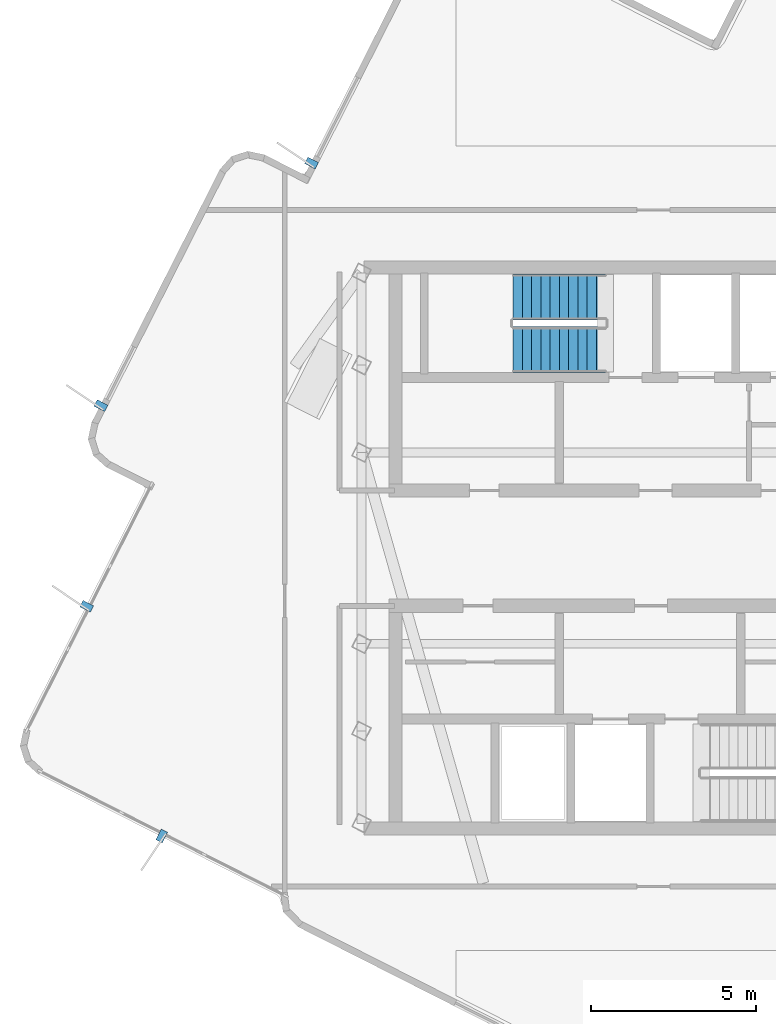
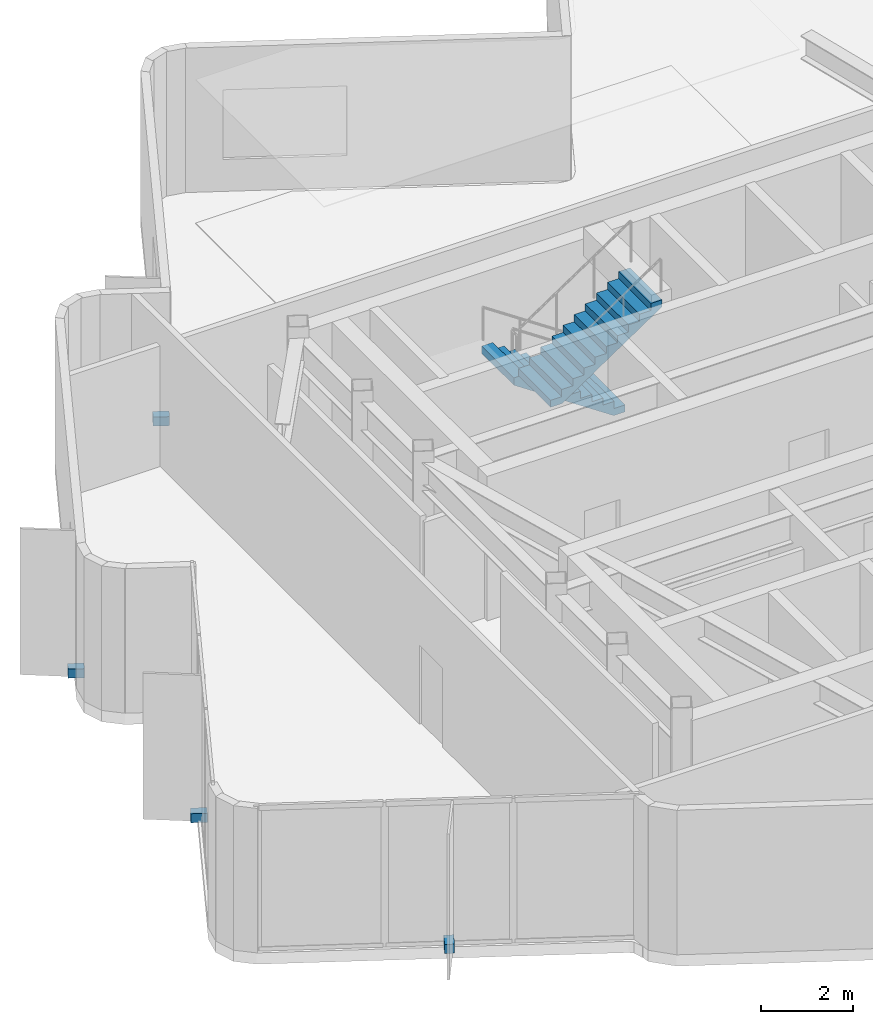
# One storey, part 5 of 8: 4 discrete accessories, 2 stair flights, 1 element without a shape of its own.
"""IFC4 building model written with IfcOpenShell, lengths in metres."""

from ifc_helpers import new_model, si_unit, direction, frame, origin, origin_2d, place, context, subcontext, project, spatial, polyline, rectangle, outline, extrude, material, type_object, element, aggregate, save


model = new_model("IFC4")

# Units and contexts
model_context = context("Model", 3, precision=1e-05, world=origin(), true_north=direction((0.0, 1.0)))
body_context = subcontext(model_context, "Body", "Model", "MODEL_VIEW")
ifc_project = project(units=[si_unit("LENGTHUNIT", "METRE"), si_unit("AREAUNIT", "SQUARE_METRE"), si_unit("VOLUMEUNIT", "CUBIC_METRE"), si_unit("PLANEANGLEUNIT", "RADIAN"), si_unit("MASSUNIT", "GRAM", prefix="KILO")], contexts=[model_context])

# Site, building, storey
site_placement = place(None, origin())
site = spatial("IfcSite", under=ifc_project, at=site_placement, CompositionType="ELEMENT")
building_placement = place(site_placement, origin())
building = spatial("IfcBuilding", under=site, at=building_placement, Name="Solmarez Civic Tower", CompositionType="ELEMENT")
storey_placement = place(building_placement, frame((0.0, 0.0, 289.260009765625)))
storey = spatial("IfcBuildingStorey", under=building, at=storey_placement, Name="L78 Crown", CompositionType="ELEMENT", Elevation=289.260009765625)

# Stair, stair flights
ifc_material_1 = material(Name="Concrete C50/60", Category="concrete")
stair_type = type_object("IfcStairType", Name="STAIR-DOGLEG-140W-22R-1882", PredefinedType="HALF_TURN_STAIR", material=ifc_material_1)
stair_placement = place(storey_placement, origin())
stair = element("IfcStair", 1, at=stair_placement, inside=storey, type_object=stair_type, Name="L78 Crown North Core Protected Exit Stair ST-1", PredefinedType="HALF_TURN_STAIR")
stair_flight_type = type_object("IfcStairFlightType", Name="FLIGHT-DOGLEG-140W-11R-1882", PredefinedType="STRAIGHT", material=ifc_material_1)
stair_flight_1_placement = place(storey_placement, frame((-1.449951171875, 7.6201171875, 0.0), z_axis=(0.0, 0.0, 1.0), x_axis=(-1.0, 0.0, 0.0)))
stair_flight_1 = element("IfcStairFlight", 2, at=stair_flight_1_placement, type_object=stair_flight_type, Name="ST-1 flight 1", NumberOfRisers=11, NumberOfTreads=10, PredefinedType="STRAIGHT", RiserHeight=0.188181818, TreadLength=0.28, context=body_context, shape_type="SweptSolid", body=[
    extrude(outline(polyline([(0.0, 0.0), (0.0, 0.188232421875), (0.280029296875, 0.188232421875), (0.280029296875, 0.37646484375), (0.56005859375, 0.37646484375), (0.56005859375, 0.564453125), (0.840087890625, 0.564453125), (0.840087890625, 0.752685546875), (1.1201171875, 0.752685546875), (1.1201171875, 0.94091796875), (1.39990234375, 0.94091796875), (1.39990234375, 1.129150390625), (1.679931640625, 1.129150390625), (1.679931640625, 1.3173828125), (1.9599609375, 1.3173828125), (1.9599609375, 1.50537109375), (2.239990234375, 1.50537109375), (2.239990234375, 1.693603515625), (2.52001953125, 1.693603515625), (2.52001953125, 1.8818359375), (2.800048828125, 1.8818359375), (2.800048828125, 2.070068359375), (2.800048828125, 1.689208984375), (0.28662109375, 0.0), (0.0, 0.0)])), frame((0.0, 0.699951171875, 0.0), z_axis=(0.0, -1.0, 0.0), x_axis=(1.0, 0.0, 0.0)), (0.0, 0.0, 1.0), 1.39990234375),
])
stair_flight_2_placement = place(storey_placement, frame((-4.25, 6.02001953125, 2.070068359375), z_axis=(0.0, 0.0, 1.0), x_axis=(1.0, 0.0, 0.0)))
stair_flight_2 = element("IfcStairFlight", 3, at=stair_flight_2_placement, type_object=stair_flight_type, Name="ST-1 flight 2", NumberOfRisers=11, NumberOfTreads=10, PredefinedType="STRAIGHT", RiserHeight=0.188181818, TreadLength=0.28, context=body_context, shape_type="SweptSolid", body=[
    extrude(outline(polyline([(0.0, 0.0), (0.0, 0.188232421875), (0.280029296875, 0.188232421875), (0.280029296875, 0.37646484375), (0.56005859375, 0.37646484375), (0.56005859375, 0.564453125), (0.840087890625, 0.564453125), (0.840087890625, 0.752685546875), (1.1201171875, 0.752685546875), (1.1201171875, 0.94091796875), (1.39990234375, 0.94091796875), (1.39990234375, 1.129150390625), (1.679931640625, 1.129150390625), (1.679931640625, 1.3173828125), (1.9599609375, 1.3173828125), (1.9599609375, 1.50537109375), (2.239990234375, 1.50537109375), (2.239990234375, 1.693603515625), (2.52001953125, 1.693603515625), (2.52001953125, 1.8818359375), (2.800048828125, 1.8818359375), (2.800048828125, 2.070068359375), (2.800048828125, 1.689208984375), (0.28662109375, 0.0), (0.0, 0.0)])), frame((0.0, 0.699951171875, 0.0), z_axis=(0.0, -1.0, 0.0), x_axis=(1.0, 0.0, 0.0)), (0.0, 0.0, 1.0), 1.39990234375),
])
aggregate(stair, [stair_flight_1, stair_flight_2])

# Discrete accessories
ifc_material_2 = material(Name="Stainless Steel Grade 1.4401", Category="steel")
discrete_accessory_type = type_object("IfcDiscreteAccessoryType", Name="BRACKET-SS-FIN", PredefinedType="BRACKET", material=ifc_material_2)
for number, where, z_axis, x_axis, name in (
    (4, (-14.910888671875, -8.73095703125, -0.06005859375), (0.0, 0.0, 1.0), (-0.452162596198, -0.891935528275, 0.0), "L78 Crown Stainless Fin Support Bracket FIN-L78 Crown-01"),
    (5, (-17.18505859375, -1.76708984375, -0.06005859375), (0.0, 0.0, 1.0), (-0.891939564952, 0.452154633365, 0.0), "L78 Crown Stainless Fin Support Bracket FIN-L78 Crown-02"),
    (6, (-16.756103515625, 4.321044921875, -0.06005859375), (0.0, 0.0, 1.0), (-0.891970083602, 0.452094425933, 0.0), "L78 Crown Stainless Fin Support Bracket FIN-L78 Crown-03"),
    (7, (-10.368896484375, 11.679931640625, -0.06005859375), (0.0, 0.0, 1.0), (-0.891939564952, 0.452154633365, 0.0), "L78 Crown Stainless Fin Support Bracket FIN-L78 Crown-04"),
):
    element("IfcDiscreteAccessory", number, at=place(storey_placement, frame(where, z_axis=z_axis, x_axis=x_axis)), inside=storey, type_object=discrete_accessory_type, Name=name, PredefinedType="BRACKET", context=body_context, shape_type="SweptSolid", body=[
        extrude(rectangle(XDim=0.360107421875, YDim=0.219970703125, at=origin_2d()), origin(), (0.0, 0.0, 1.0), 0.239990234375),
    ])

save(model, "model.ifc")
